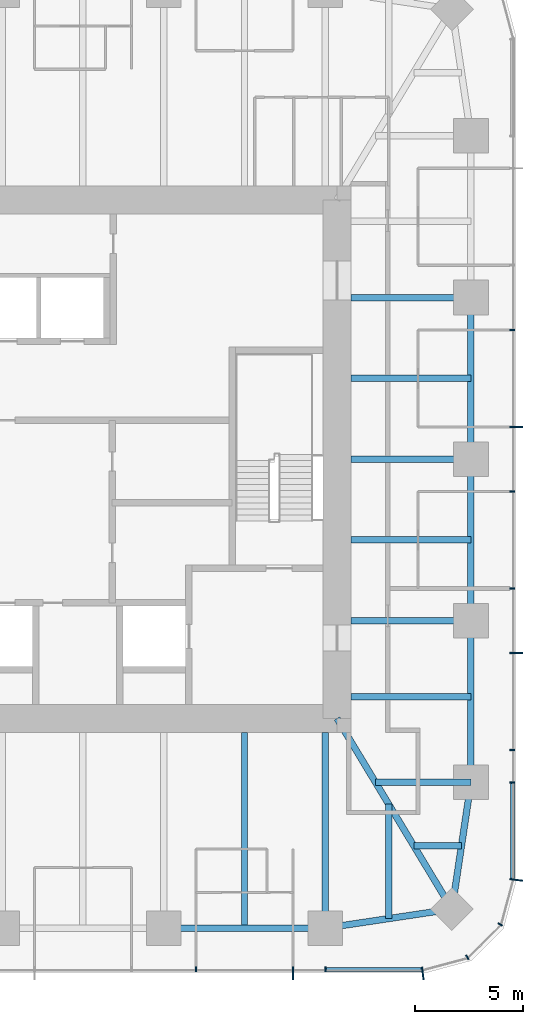
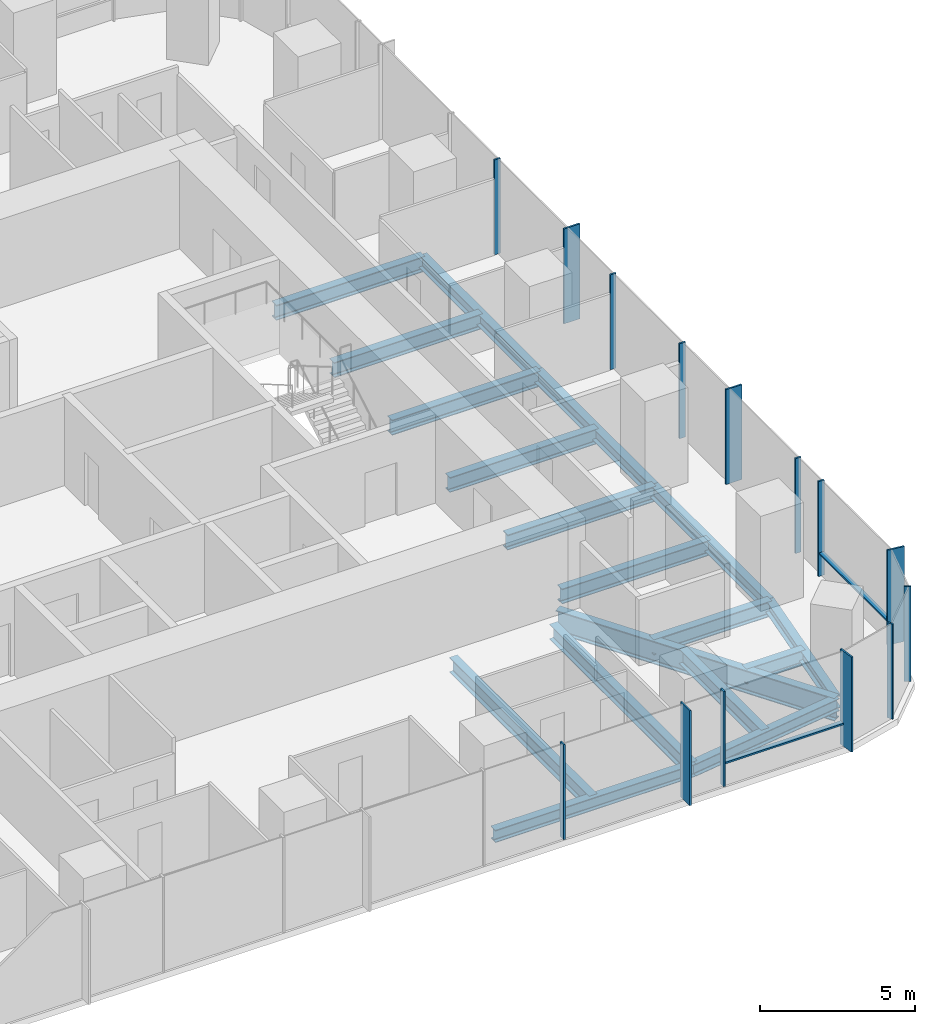
# One storey, part 4 of 12: 18 beams, 16 members, 3 elements without a shape of their own.
"""IFC4 building model written with IfcOpenShell, lengths in metres."""

from ifc_helpers import new_model, si_unit, direction, frame, origin, origin_2d, place, context, subcontext, project, spatial, rectangle, i_section, extrude, material, material_profile, profile_set, type_object, element, aggregate, save


model = new_model("IFC4")

# Units and contexts
model_context = context("Model", 3, precision=1e-05, world=origin(), true_north=direction((0.0, 1.0)))
body_context = subcontext(model_context, "Body", "Model", "MODEL_VIEW")
ifc_project = project(units=[si_unit("LENGTHUNIT", "METRE"), si_unit("AREAUNIT", "SQUARE_METRE"), si_unit("VOLUMEUNIT", "CUBIC_METRE"), si_unit("PLANEANGLEUNIT", "RADIAN"), si_unit("MASSUNIT", "GRAM", prefix="KILO")], contexts=[model_context])

# Site, building, storey
site_placement = place(None, origin())
site = spatial("IfcSite", under=ifc_project, at=site_placement, CompositionType="ELEMENT")
building_placement = place(site_placement, origin())
building = spatial("IfcBuilding", under=site, at=building_placement, Name="Khuree Lantern Residences", CompositionType="ELEMENT")
storey_placement = place(building_placement, frame((0.0, 0.0, 300.75)))
storey = spatial("IfcBuildingStorey", under=building, at=storey_placement, Name="L75", CompositionType="ELEMENT", Elevation=300.75)

# Beams
ifc_material_1 = material(Name="Steel S355", Category="steel")
ifc_material_profile_1 = material_profile(ifc_material_1, i_section(OverallWidth=0.300048828125, OverallDepth=0.590087890625, WebThickness=0.012939453125, FlangeThickness=0.02490234375, FilletRadius=0.027099609375, at=origin_2d()), Name="HE 600 A")
ifc_profile_set_1 = profile_set([ifc_material_profile_1], Name="Steel S355")
beam_type_1 = type_object("IfcBeamType", Name="B-42 SECONDARY BEAM HE 600 A", PredefinedType="BEAM", material=ifc_profile_set_1)
for number, where, z_axis, x_axis, name in (
    (1, (21.699951171875, 3.739990234375, -0.544921875), (-1.0, 0.0, 0.0), (0.0, -1.0, 0.0), "Secondary beam E3"),
    (2, (21.699951171875, -3.739990234375, -0.544921875), (-1.0, 0.0, 0.0), (0.0, -1.0, 0.0), "Secondary beam E4"),
    (3, (21.699951171875, -11.0, -0.544921875), (-1.0, 0.0, 0.0), (0.0, -1.0, 0.0), "Secondary beam E5"),
):
    element("IfcBeam", number, at=place(storey_placement, frame(where, z_axis=z_axis, x_axis=x_axis)), inside=storey, type_object=beam_type_1, Name=name, PredefinedType="BEAM", context=body_context, shape_type="SweptSolid", body=[
        extrude(i_section(OverallWidth=0.300048828125, OverallDepth=0.590087890625, WebThickness=0.012939453125, FlangeThickness=0.02490234375, FilletRadius=0.027099609375, at=origin_2d()), origin(), (0.0, 0.0, 1.0), 5.550048828125),
    ])
beam_1_placement = place(storey_placement, frame((21.2607421875, -17.890625, -0.544921875), z_axis=(-1.0, 0.0, 0.0), x_axis=(0.0, -1.0, 0.0)))
element("IfcBeam", 4, at=beam_1_placement, inside=storey, type_object=beam_type_1, Name="Secondary beam E6", PredefinedType="BEAM", context=body_context, shape_type="SweptSolid", body=[
    extrude(i_section(OverallWidth=0.300048828125, OverallDepth=0.590087890625, WebThickness=0.012939453125, FlangeThickness=0.02490234375, FilletRadius=0.027099609375, at=origin_2d()), origin(), (0.0, 0.0, 1.0), 2.207275390625),
])
beam_2_placement = place(storey_placement, frame((17.890625, -21.2607421875, -0.544921875), z_axis=(0.0, 1.0, 0.0), x_axis=(-1.0, 0.0, 0.0)))
element("IfcBeam", 5, at=beam_2_placement, inside=storey, type_object=beam_type_1, Name="Secondary beam S1", PredefinedType="BEAM", context=body_context, shape_type="SweptSolid", body=[
    extrude(i_section(OverallWidth=0.300048828125, OverallDepth=0.590087890625, WebThickness=0.012939453125, FlangeThickness=0.02490234375, FilletRadius=0.027099609375, at=origin_2d()), origin(), (0.0, 0.0, 1.0), 5.297607421875),
])
beam_3_placement = place(storey_placement, frame((11.219970703125, -21.699951171875, -0.544921875), z_axis=(0.0, 1.0, 0.0), x_axis=(-1.0, 0.0, 0.0)))
element("IfcBeam", 6, at=beam_3_placement, inside=storey, type_object=beam_type_1, Name="Secondary beam S2", PredefinedType="BEAM", context=body_context, shape_type="SweptSolid", body=[
    extrude(i_section(OverallWidth=0.300048828125, OverallDepth=0.590087890625, WebThickness=0.012939453125, FlangeThickness=0.02490234375, FilletRadius=0.027099609375, at=origin_2d()), origin(), (0.0, 0.0, 1.0), 9.050048828125),
])
ifc_material_profile_2 = material_profile(ifc_material_1, i_section(OverallWidth=0.300048828125, OverallDepth=0.489990234375, WebThickness=0.011962890625, FlangeThickness=0.02294921875, FilletRadius=0.027099609375, at=origin_2d()), Name="HE 500 A")
ifc_profile_set_2 = profile_set([ifc_material_profile_2], Name="Steel S355")
beam_type_2 = type_object("IfcBeamType", Name="E-42 SPANDREL BEAM HE 500 A", PredefinedType="SPANDREL", material=ifc_profile_set_2)
for number, where, z_axis, x_axis, name in (
    (7, (21.699951171875, 7.47998046875, -0.4951171875), (0.0, -1.0, 0.0), (1.0, 0.0, 0.0), "Spandrel beam E3"),
    (8, (21.699951171875, 0.0, -0.4951171875), (0.0, -1.0, 0.0), (1.0, 0.0, 0.0), "Spandrel beam E4"),
    (9, (21.699951171875, -7.47998046875, -0.4951171875), (0.0, -1.0, 0.0), (1.0, 0.0, 0.0), "Spandrel beam E5"),
):
    element("IfcBeam", number, at=place(storey_placement, frame(where, z_axis=z_axis, x_axis=x_axis)), inside=storey, type_object=beam_type_2, Name=name, PredefinedType="SPANDREL", context=body_context, shape_type="SweptSolid", body=[
        extrude(i_section(OverallWidth=0.300048828125, OverallDepth=0.489990234375, WebThickness=0.011962890625, FlangeThickness=0.02294921875, FilletRadius=0.027099609375, at=origin_2d()), origin(), (0.0, 0.0, 1.0), 7.47998046875),
    ])
for number, where, z_axis, x_axis, name in (
    (10, (21.699951171875, -14.9599609375, -0.4951171875), (-0.148251822985, -0.988949643299, 0.0), (0.988949643299, -0.148251822985, 0.0), "Spandrel beam E6"),
    (11, (20.8212890625, -20.8212890625, -0.4951171875), (-0.988949643299, -0.148251822985, 0.0), (0.148251822985, -0.988949643299, 0.0), "Spandrel beam S1"),
):
    element("IfcBeam", number, at=place(storey_placement, frame(where, z_axis=z_axis, x_axis=x_axis)), inside=storey, type_object=beam_type_2, Name=name, PredefinedType="SPANDREL", context=body_context, shape_type="SweptSolid", body=[
        extrude(i_section(OverallWidth=0.300048828125, OverallDepth=0.489990234375, WebThickness=0.011962890625, FlangeThickness=0.02294921875, FilletRadius=0.027099609375, at=origin_2d()), origin(), (0.0, 0.0, 1.0), 5.9267578125),
    ])
beam_4_placement = place(storey_placement, frame((14.9599609375, -21.699951171875, -0.4951171875), z_axis=(-1.0, 0.0, 0.0), x_axis=(0.0, -1.0, 0.0)))
element("IfcBeam", 12, at=beam_4_placement, inside=storey, type_object=beam_type_2, Name="Spandrel beam S2", PredefinedType="SPANDREL", context=body_context, shape_type="SweptSolid", body=[
    extrude(i_section(OverallWidth=0.300048828125, OverallDepth=0.489990234375, WebThickness=0.011962890625, FlangeThickness=0.02294921875, FilletRadius=0.027099609375, at=origin_2d()), origin(), (0.0, 0.0, 1.0), 7.47998046875),
])

# Curtain wall, member
ifc_material_2 = material(Name="Bronze anodised aluminium", Category="aluminium")
curtain_wall_type_1 = type_object("IfcCurtainWallType", Name="CW-T2 TOWER CORNER CURTAIN WALL", PredefinedType="USERDEFINED", material=ifc_material_2)
curtain_wall_1_placement = place(storey_placement, origin())
curtain_wall_1 = element("IfcCurtainWall", 13, at=curtain_wall_1_placement, inside=storey, type_object=curtain_wall_type_1, Name="L75 SOUTH-EAST CORNER CURTAIN WALL", ObjectType="Faceted corner curtain wall", PredefinedType="USERDEFINED")
ifc_material_profile_3 = material_profile(ifc_material_2, rectangle(XDim=0.06494140625, YDim=0.60009765625, at=origin_2d()), Name="F1 65X600")
ifc_profile_set_3 = profile_set([ifc_material_profile_3], Name="Bronze anodised aluminium")
member_type_1 = type_object("IfcMemberType", Name="F1 BRONZE FIN MULLION TOWER 65X600", PredefinedType="MULLION", material=ifc_profile_set_3)
member_1_placement = place(storey_placement, frame((19.4697265625, -23.800048828125, 0.0), z_axis=(0.0, 0.0, 1.0), x_axis=(0.991444870192, 0.130526125236, 0.0)))
member_1 = element("IfcMember", 14, at=member_1_placement, type_object=member_type_1, Name="L75 SOUTH-EAST CORNER FIN MULLION 1", PredefinedType="MULLION", context=body_context, shape_type="SweptSolid", body=[
    extrude(rectangle(XDim=0.06494140625, YDim=0.60009765625, at=origin_2d()), origin(), (0.0, 0.0, 1.0), 3.75),
])

# Curtain wall, members
curtain_wall_type_2 = type_object("IfcCurtainWallType", Name="CW-T1 TOWER FACE CURTAIN WALL", PredefinedType="USERDEFINED", material=ifc_material_2)
curtain_wall_2_placement = place(storey_placement, origin())
curtain_wall_2 = element("IfcCurtainWall", 15, at=curtain_wall_2_placement, inside=storey, type_object=curtain_wall_type_2, Name="L75 EAST FACE CURTAIN WALL", ObjectType="Stick-built curtain wall", PredefinedType="USERDEFINED")
member_2_placement = place(storey_placement, frame((23.800048828125, -19.4697265625, 0.0), z_axis=(0.0, 0.0, 1.0), x_axis=(0.130526125236, 0.991444870192, 0.0)))
member_2 = element("IfcMember", 16, at=member_2_placement, type_object=member_type_1, Name="L75 EAST FACE FIN MULLION 4", PredefinedType="MULLION", context=body_context, shape_type="SweptSolid", body=[
    extrude(rectangle(XDim=0.06494140625, YDim=0.60009765625, at=origin_2d()), origin(), (0.0, 0.0, 1.0), 3.75),
])
member_3_placement = place(storey_placement, frame((23.800048828125, -8.97607421875, 0.0), z_axis=(0.0, 0.0, 1.0), x_axis=(0.0, 1.0, 0.0)))
member_3 = element("IfcMember", 17, at=member_3_placement, type_object=member_type_1, Name="L75 EAST FACE FIN MULLION 7", PredefinedType="MULLION", context=body_context, shape_type="SweptSolid", body=[
    extrude(rectangle(XDim=0.06494140625, YDim=0.60009765625, at=origin_2d()), origin(), (0.0, 0.0, 1.0), 3.75),
])
member_4_placement = place(storey_placement, frame((23.800048828125, 1.49609375, 0.0), z_axis=(0.0, 0.0, 1.0), x_axis=(0.0, 1.0, 0.0)))
member_4 = element("IfcMember", 18, at=member_4_placement, type_object=member_type_1, Name="L75 EAST FACE FIN MULLION 10", PredefinedType="MULLION", context=body_context, shape_type="SweptSolid", body=[
    extrude(rectangle(XDim=0.06494140625, YDim=0.60009765625, at=origin_2d()), origin(), (0.0, 0.0, 1.0), 3.75),
])

# Curtain wall, member
curtain_wall_3_placement = place(storey_placement, origin())
curtain_wall_3 = element("IfcCurtainWall", 19, at=curtain_wall_3_placement, inside=storey, type_object=curtain_wall_type_2, Name="L75 SOUTH FACE CURTAIN WALL", ObjectType="Stick-built curtain wall", PredefinedType="USERDEFINED")
member_5_placement = place(storey_placement, frame((13.464111328125, -23.800048828125, 0.0), z_axis=(0.0, 0.0, 1.0), x_axis=(1.0, 0.0, 0.0)))
member_5 = element("IfcMember", 20, at=member_5_placement, type_object=member_type_1, Name="L75 SOUTH FACE FIN MULLION 55", PredefinedType="MULLION", context=body_context, shape_type="SweptSolid", body=[
    extrude(rectangle(XDim=0.06494140625, YDim=0.60009765625, at=origin_2d()), origin(), (0.0, 0.0, 1.0), 3.75),
])

# Beams
ifc_material_profile_4 = material_profile(ifc_material_1, i_section(OverallWidth=0.300048828125, OverallDepth=0.60009765625, WebThickness=0.015380859375, FlangeThickness=0.030029296875, FilletRadius=0.027099609375, at=origin_2d()), Name="HE 600 B")
ifc_profile_set_4 = profile_set([ifc_material_profile_4], Name="Steel S355")
beam_type_3 = type_object("IfcBeamType", Name="G-42 GIRDER HE 600 B", PredefinedType="BEAM", material=ifc_profile_set_4)
for number, where, z_axis, x_axis, name in (
    (21, (21.699951171875, 7.47998046875, -0.550048828125), (-1.0, 0.0, 0.0), (0.0, -1.0, 0.0), "Girder E2"),
    (22, (21.699951171875, 0.0, -0.550048828125), (-1.0, 0.0, 0.0), (0.0, -1.0, 0.0), "Girder E3"),
    (23, (21.699951171875, -7.47998046875, -0.550048828125), (-1.0, 0.0, 0.0), (0.0, -1.0, 0.0), "Girder E4"),
):
    element("IfcBeam", number, at=place(storey_placement, frame(where, z_axis=z_axis, x_axis=x_axis)), inside=storey, type_object=beam_type_3, Name=name, PredefinedType="BEAM", context=body_context, shape_type="SweptSolid", body=[
        extrude(i_section(OverallWidth=0.300048828125, OverallDepth=0.60009765625, WebThickness=0.015380859375, FlangeThickness=0.030029296875, FilletRadius=0.027099609375, at=origin_2d()), origin(), (0.0, 0.0, 1.0), 5.550048828125),
    ])
beam_5_placement = place(storey_placement, frame((21.699951171875, -14.9599609375, -0.550048828125), z_axis=(-1.0, 0.0, 0.0), x_axis=(0.0, -1.0, 0.0)))
element("IfcBeam", 24, at=beam_5_placement, inside=storey, type_object=beam_type_3, Name="Girder E5", PredefinedType="BEAM", context=body_context, shape_type="SweptSolid", body=[
    extrude(i_section(OverallWidth=0.300048828125, OverallDepth=0.60009765625, WebThickness=0.015380859375, FlangeThickness=0.030029296875, FilletRadius=0.027099609375, at=origin_2d()), origin(), (0.0, 0.0, 1.0), 4.414306640625),
])
beam_6_placement = place(storey_placement, frame((14.9599609375, -21.699951171875, -0.550048828125), z_axis=(0.0, 1.0, 0.0), x_axis=(-1.0, 0.0, 0.0)))
element("IfcBeam", 25, at=beam_6_placement, inside=storey, type_object=beam_type_3, Name="Girder S1", PredefinedType="BEAM", context=body_context, shape_type="SweptSolid", body=[
    extrude(i_section(OverallWidth=0.300048828125, OverallDepth=0.60009765625, WebThickness=0.015380859375, FlangeThickness=0.030029296875, FilletRadius=0.027099609375, at=origin_2d()), origin(), (0.0, 0.0, 1.0), 9.050048828125),
])
ifc_material_profile_5 = material_profile(ifc_material_1, i_section(OverallWidth=0.300048828125, OverallDepth=0.89990234375, WebThickness=0.0185546875, FlangeThickness=0.034912109375, FilletRadius=0.030029296875, at=origin_2d()), Name="HE 900 B")
ifc_profile_set_5 = profile_set([ifc_material_profile_5], Name="Steel S355")
beam_type_4 = type_object("IfcBeamType", Name="GD-42 CORNER GIRDER HE 900 B", PredefinedType="BEAM", material=ifc_profile_set_5)
beam_7_placement = place(storey_placement, frame((20.8212890625, -20.8212890625, -0.699951171875), z_axis=(-0.516529577604, 0.856269347495, 0.0), x_axis=(-0.856269347495, -0.516529577604, 0.0)))
element("IfcBeam", 26, at=beam_7_placement, inside=storey, type_object=beam_type_4, Name="Corner girder SE", PredefinedType="BEAM", context=body_context, shape_type="SweptSolid", body=[
    extrude(i_section(OverallWidth=0.300048828125, OverallDepth=0.89990234375, WebThickness=0.0185546875, FlangeThickness=0.034912109375, FilletRadius=0.030029296875, at=origin_2d()), origin(), (0.0, 0.0, 1.0), 10.302001953125),
])

# Member
ifc_material_profile_6 = material_profile(ifc_material_2, rectangle(XDim=0.06494140625, YDim=0.219970703125, at=origin_2d()), Name="M1 65X220")
ifc_profile_set_6 = profile_set([ifc_material_profile_6], Name="Bronze anodised aluminium")
member_type_2 = type_object("IfcMemberType", Name="M1 BRONZE MULLION TOWER 65X220", PredefinedType="MULLION", material=ifc_profile_set_6)
member_6_placement = place(storey_placement, frame((21.530029296875, -23.052734375, 0.0), z_axis=(0.0, 0.0, 1.0), x_axis=(0.866025437565, 0.49999994149, 0.0)))
member_6 = element("IfcMember", 27, at=member_6_placement, type_object=member_type_2, Name="L75 SOUTH-EAST CORNER MULLION 2", PredefinedType="MULLION", context=body_context, shape_type="SweptSolid", body=[
    extrude(rectangle(XDim=0.06494140625, YDim=0.219970703125, at=origin_2d()), origin(), (0.0, 0.0, 1.0), 3.75),
])

member_7_placement = place(storey_placement, frame((23.052734375, -21.530029296875, 0.0), z_axis=(0.0, 0.0, 1.0), x_axis=(0.49999994149, 0.866025437565, 0.0)))
member_7 = element("IfcMember", 28, at=member_7_placement, type_object=member_type_2, Name="L75 SOUTH-EAST CORNER MULLION 3", PredefinedType="MULLION", context=body_context, shape_type="SweptSolid", body=[
    extrude(rectangle(XDim=0.06494140625, YDim=0.219970703125, at=origin_2d()), origin(), (0.0, 0.0, 1.0), 3.75),
])

aggregate(curtain_wall_1, [member_1, member_6, member_7])

member_8_placement = place(storey_placement, frame((23.610107421875, -14.9599609375, 0.0), z_axis=(0.0, 0.0, 1.0), x_axis=(0.0, 1.0, 0.0)))
member_8 = element("IfcMember", 29, at=member_8_placement, type_object=member_type_2, Name="L75 EAST FACE MULLION 5", PredefinedType="MULLION", context=body_context, shape_type="SweptSolid", body=[
    extrude(rectangle(XDim=0.06494140625, YDim=0.219970703125, at=origin_2d()), origin(), (0.0, 0.0, 1.0), 3.75),
])

member_9_placement = place(storey_placement, frame((23.610107421875, -13.464111328125, 0.0), z_axis=(0.0, 0.0, 1.0), x_axis=(0.0, 1.0, 0.0)))
member_9 = element("IfcMember", 30, at=member_9_placement, type_object=member_type_2, Name="L75 EAST FACE MULLION 6", PredefinedType="MULLION", context=body_context, shape_type="SweptSolid", body=[
    extrude(rectangle(XDim=0.06494140625, YDim=0.219970703125, at=origin_2d()), origin(), (0.0, 0.0, 1.0), 3.75),
])

member_10_placement = place(storey_placement, frame((23.610107421875, -5.98388671875, 0.0), z_axis=(0.0, 0.0, 1.0), x_axis=(0.0, 1.0, 0.0)))
member_10 = element("IfcMember", 31, at=member_10_placement, type_object=member_type_2, Name="L75 EAST FACE MULLION 8", PredefinedType="MULLION", context=body_context, shape_type="SweptSolid", body=[
    extrude(rectangle(XDim=0.06494140625, YDim=0.219970703125, at=origin_2d()), origin(), (0.0, 0.0, 1.0), 3.75),
])

member_11_placement = place(storey_placement, frame((23.610107421875, -1.49609375, 0.0), z_axis=(0.0, 0.0, 1.0), x_axis=(0.0, 1.0, 0.0)))
member_11 = element("IfcMember", 32, at=member_11_placement, type_object=member_type_2, Name="L75 EAST FACE MULLION 9", PredefinedType="MULLION", context=body_context, shape_type="SweptSolid", body=[
    extrude(rectangle(XDim=0.06494140625, YDim=0.219970703125, at=origin_2d()), origin(), (0.0, 0.0, 1.0), 3.75),
])

member_12_placement = place(storey_placement, frame((23.610107421875, 5.98388671875, 0.0), z_axis=(0.0, 0.0, 1.0), x_axis=(0.0, 1.0, 0.0)))
member_12 = element("IfcMember", 33, at=member_12_placement, type_object=member_type_2, Name="L75 EAST FACE MULLION 11", PredefinedType="MULLION", context=body_context, shape_type="SweptSolid", body=[
    extrude(rectangle(XDim=0.06494140625, YDim=0.219970703125, at=origin_2d()), origin(), (0.0, 0.0, 1.0), 3.75),
])

member_13_placement = place(storey_placement, frame((8.97607421875, -23.610107421875, 0.0), z_axis=(0.0, 0.0, 1.0), x_axis=(1.0, 0.0, 0.0)))
member_13 = element("IfcMember", 34, at=member_13_placement, type_object=member_type_2, Name="L75 SOUTH FACE MULLION 54", PredefinedType="MULLION", context=body_context, shape_type="SweptSolid", body=[
    extrude(rectangle(XDim=0.06494140625, YDim=0.219970703125, at=origin_2d()), origin(), (0.0, 0.0, 1.0), 3.75),
])

member_14_placement = place(storey_placement, frame((14.9599609375, -23.610107421875, 0.0), z_axis=(0.0, 0.0, 1.0), x_axis=(1.0, 0.0, 0.0)))
member_14 = element("IfcMember", 35, at=member_14_placement, type_object=member_type_2, Name="L75 SOUTH FACE MULLION 56", PredefinedType="MULLION", context=body_context, shape_type="SweptSolid", body=[
    extrude(rectangle(XDim=0.06494140625, YDim=0.219970703125, at=origin_2d()), origin(), (0.0, 0.0, 1.0), 3.75),
])

ifc_material_profile_7 = material_profile(ifc_material_2, rectangle(XDim=0.179931640625, YDim=0.06494140625, at=origin_2d()), Name="T1 180X65")
ifc_profile_set_7 = profile_set([ifc_material_profile_7], Name="Bronze anodised aluminium")
member_type_3 = type_object("IfcMemberType", Name="TRANSOM T1 TOWER 180X65", PredefinedType="USERDEFINED", material=ifc_profile_set_7)
member_15_placement = place(storey_placement, frame((23.6201171875, -19.4013671875, 0.89990234375), z_axis=(0.0, 1.0, 0.0), x_axis=(-1.0, 0.0, 0.0)))
member_15 = element("IfcMember", 36, at=member_15_placement, type_object=member_type_3, Name="L75 EAST FACE TRANSOM 4.1", ObjectType="Transom", PredefinedType="USERDEFINED", context=body_context, shape_type="SweptSolid", body=[
    extrude(rectangle(XDim=0.179931640625, YDim=0.06494140625, at=origin_2d()), origin(), (0.0, 0.0, 1.0), 4.408935546875),
])

aggregate(curtain_wall_2, [member_2, member_8, member_9, member_3, member_10, member_11, member_4, member_12, member_15])

member_16_placement = place(storey_placement, frame((14.992431640625, -23.6201171875, 0.89990234375), z_axis=(1.0, 0.0, 0.0), x_axis=(0.0, 1.0, 0.0)))
member_16 = element("IfcMember", 37, at=member_16_placement, type_object=member_type_3, Name="L75 SOUTH FACE TRANSOM 56.1", ObjectType="Transom", PredefinedType="USERDEFINED", context=body_context, shape_type="SweptSolid", body=[
    extrude(rectangle(XDim=0.179931640625, YDim=0.06494140625, at=origin_2d()), origin(), (0.0, 0.0, 1.0), 4.408935546875),
])

aggregate(curtain_wall_3, [member_13, member_5, member_14, member_16])

save(model, "model.ifc")
